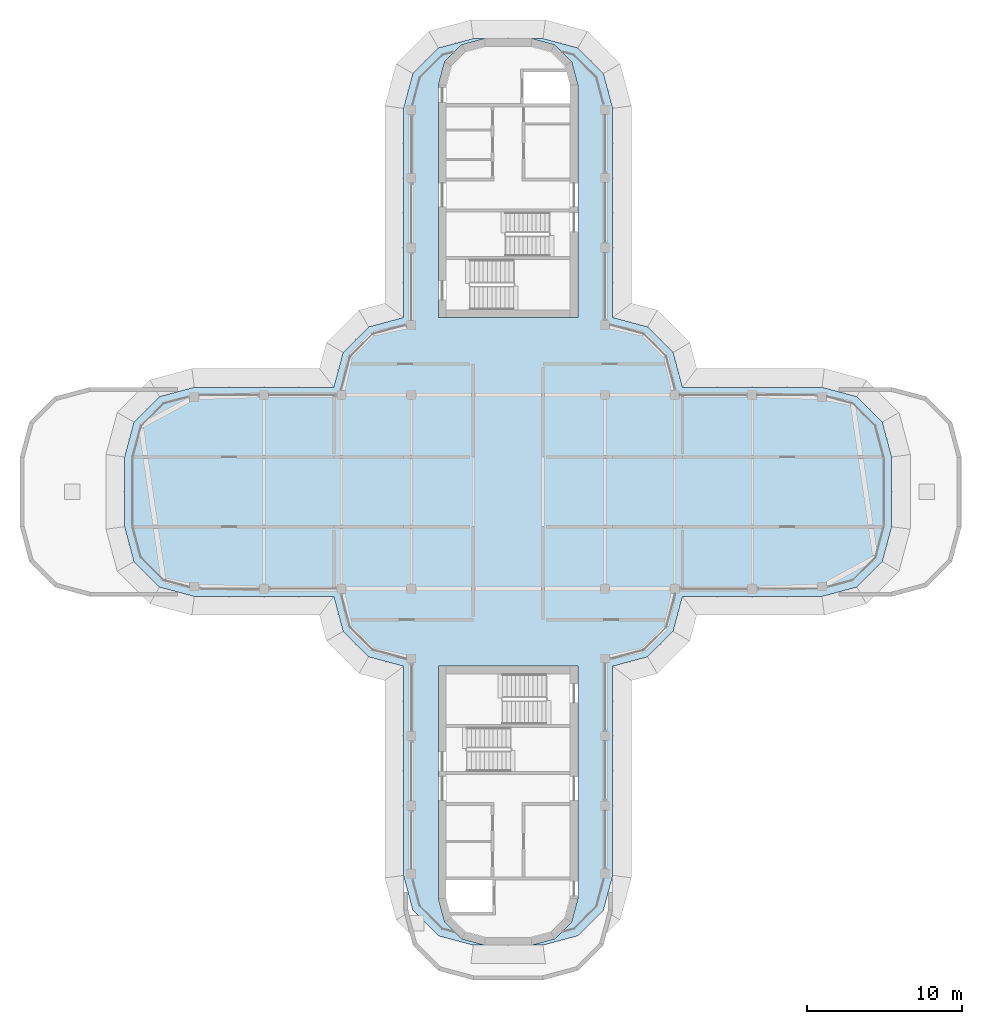
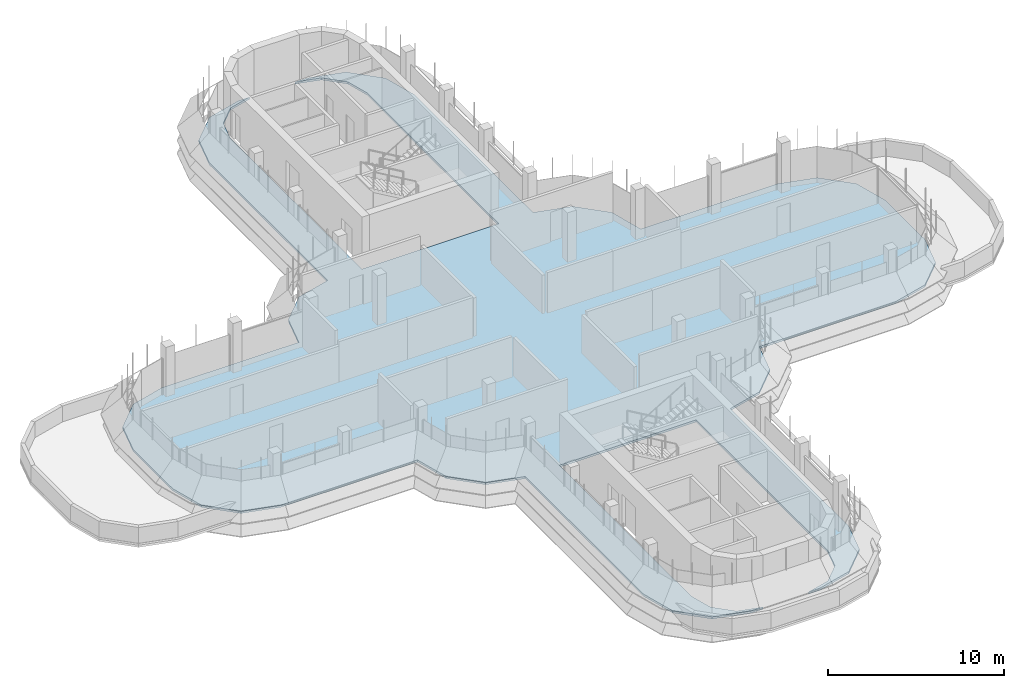
# One storey, part 10 of 20: 1 slab.
"""IFC4 building model written with IfcOpenShell, lengths in metres."""

from ifc_helpers import new_model, si_unit, direction, frame, origin, place, context, subcontext, project, spatial, polyline, outline, extrude, material, layer, layer_set, type_object, element, save


model = new_model("IFC4")

# Units and contexts
model_context = context("Model", 3, precision=1e-05, world=origin(), true_north=direction((0.0, 1.0)))
body_context = subcontext(model_context, "Body", "Model", "MODEL_VIEW")
ifc_project = project(units=[si_unit("LENGTHUNIT", "METRE"), si_unit("AREAUNIT", "SQUARE_METRE"), si_unit("VOLUMEUNIT", "CUBIC_METRE"), si_unit("PLANEANGLEUNIT", "RADIAN"), si_unit("MASSUNIT", "GRAM", prefix="KILO")], contexts=[model_context])

# Site, building, storey
site_placement = place(None, origin())
site = spatial("IfcSite", under=ifc_project, at=site_placement, CompositionType="ELEMENT")
building_placement = place(site_placement, origin())
building = spatial("IfcBuilding", under=site, at=building_placement, Name="Zarbagh Exchange Tower", CompositionType="ELEMENT")
storey_placement = place(building_placement, frame((0.0, 0.0, 291.60009765625)))
storey = spatial("IfcBuildingStorey", under=building, at=storey_placement, Name="L71", CompositionType="ELEMENT", Elevation=291.60009765625)

# Slab
ifc_material = material(Name="Concrete C40/50", Category="concrete")
ifc_layer = layer(ifc_material, 0.14990234375)
ifc_layer_set = layer_set([ifc_layer], Name="Tuned mass damper deck slab 150 C40/50")
slab_type = type_object("IfcSlabType", Name="Tuned mass damper deck slab 150 C40/50", PredefinedType="FLOOR", material=ifc_layer_set)
slab_placement = place(storey_placement, frame((0.0, 0.0, -0.150146484375)))
element("IfcSlab", 1, at=slab_placement, inside=storey, type_object=slab_type, Name="S6 tuned mass damper deck slab", PredefinedType="FLOOR", context=body_context, shape_type="SweptSolid", body=[
    extrude(outline(polyline([(1.5, -29.25), (3.0, -28.84814453125), (4.09814453125, -27.75), (4.5, -26.25), (4.5, -11.25), (-4.5, -11.25), (-4.5, -26.25), (-4.09814453125, -27.75), (-3.0, -28.84814453125), (-1.5, -29.25), (-2.25, -29.25), (-4.5, -28.647216796875), (-6.147216796875, -27.0), (-6.75, -24.75), (-6.75, -11.25), (-9.0, -10.647216796875), (-10.647216796875, -9.0), (-11.25, -6.75), (-20.25, -6.75), (-22.5, -6.147216796875), (-24.147216796875, -4.5), (-24.75, -2.25), (-24.75, 2.25), (-24.147216796875, 4.5), (-22.5, 6.147216796875), (-20.25, 6.75), (-11.25, 6.75), (-10.647216796875, 9.0), (-9.0, 10.647216796875), (-6.75, 11.25), (-6.75, 24.75), (-6.147216796875, 27.0), (-4.5, 28.647216796875), (-2.25, 29.25), (-1.5, 29.25), (-3.0, 28.84814453125), (-4.09814453125, 27.75), (-4.5, 26.25), (-4.5, 11.25), (4.5, 11.25), (4.5, 26.25), (4.09814453125, 27.75), (3.0, 28.84814453125), (1.5, 29.25), (2.25, 29.25), (4.5, 28.647216796875), (6.147216796875, 27.0), (6.75, 24.75), (6.75, 11.25), (9.0, 10.647216796875), (10.647216796875, 9.0), (11.25, 6.75), (20.25, 6.75), (22.5, 6.147216796875), (24.147216796875, 4.5), (24.75, 2.25), (24.75, -2.25), (24.147216796875, -4.5), (22.5, -6.147216796875), (20.25, -6.75), (11.25, -6.75), (10.647216796875, -9.0), (9.0, -10.647216796875), (6.75, -11.25), (6.75, -24.75), (6.147216796875, -27.0), (4.5, -28.647216796875), (2.25, -29.25), (1.5, -29.25)])), origin(), (0.0, 0.0, 1.0), 0.150146484375),
])

save(model, "model.ifc")
